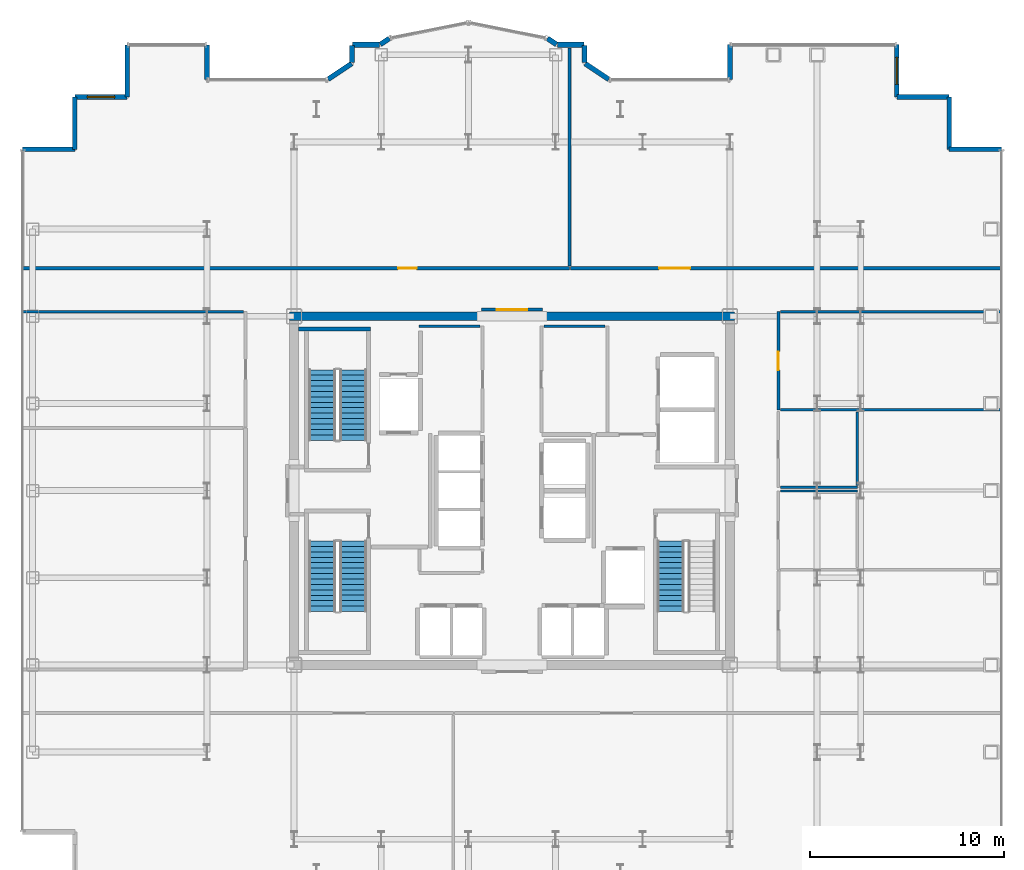
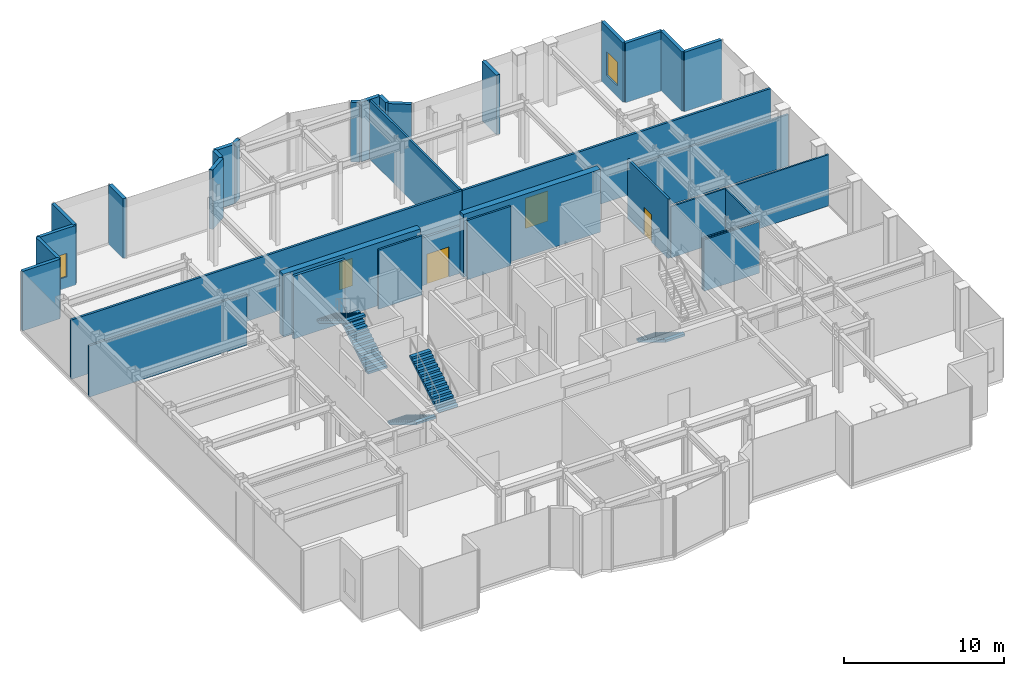
# One storey, part 17 of 20: 34 walls, 5 stair flights, 4 doors, 2 windows, 6 openings, 3 elements without a shape of their own.
"""IFC4 building model written with IfcOpenShell, lengths in metres."""

from ifc_helpers import new_model, si_unit, direction, frame, frame_2d, origin, place, context, subcontext, project, spatial, polyline, rectangle, outline, extrude, source, transform, mapped, material, layer, layer_set, type_object, element, fill, aggregate, save


model = new_model("IFC4")

# Units and contexts
model_context = context("Model", 3, precision=1e-05, world=origin(), true_north=direction((0.0, 1.0)))
body_context = subcontext(model_context, "Body", "Model", "MODEL_VIEW")
ifc_project = project(units=[si_unit("LENGTHUNIT", "METRE"), si_unit("AREAUNIT", "SQUARE_METRE"), si_unit("VOLUMEUNIT", "CUBIC_METRE"), si_unit("PLANEANGLEUNIT", "RADIAN"), si_unit("MASSUNIT", "GRAM", prefix="KILO")], contexts=[model_context])

# Site, building, storey
site_placement = place(None, origin())
site = spatial("IfcSite", under=ifc_project, at=site_placement, CompositionType="ELEMENT")
building_placement = place(site_placement, origin())
building = spatial("IfcBuilding", under=site, at=building_placement, Name="Nefas-Gora Pilgrimage Tower", CompositionType="ELEMENT")
storey_placement = place(building_placement, frame((0.0, 0.0, 259.800048828125)))
storey = spatial("IfcBuildingStorey", under=building, at=storey_placement, Name="L65", CompositionType="ELEMENT", Elevation=259.800048828125)

# Walls
ifc_material_1 = material(Name="Concrete C50/60", Category="concrete")
ifc_layer_1 = layer(ifc_material_1, 0.449951171875)
ifc_layer_set_1 = layer_set([ifc_layer_1], Name="Concrete C50/60")
wall_type_1 = type_object("IfcWallType", Name="SW-CORE-450", PredefinedType="SHEAR", material=ifc_layer_set_1)
shared_shape_1 = source(origin(), body_context, "Body", "SweptSolid", [
    extrude(rectangle(XDim=9.925048828125, YDim=0.449951171875, at=frame_2d((4.96240234375, 0.0))), origin(), (0.0, 0.0, 1.0), 4.800048828125),
])
for number, where, z_axis, x_axis, name in (
    (1, (-11.47509765625, 9.0, 0.0), (0.0, 0.0, 1.0), (1.0, 0.0, 0.0), "L65 Core Shear Wall N-West"),
    (2, (1.550048828125, 9.0, 0.0), (0.0, 0.0, 1.0), (1.0, 0.0, 0.0), "L65 Core Shear Wall N-East"),
):
    element("IfcWall", number, at=place(storey_placement, frame(where, z_axis=z_axis, x_axis=x_axis)), inside=storey, type_object=wall_type_1, Name=name, PredefinedType="SHEAR", context=body_context, shape_type="MappedRepresentation", body=[
        mapped(shared_shape_1, transform((0.0, 0.0, 0.0), x_axis=(1.0, 0.0, 0.0), y_axis=(0.0, 1.0, 0.0), z_axis=(0.0, 0.0, 1.0), scale=1.0)),
    ])
ifc_material_2 = material(Name="Precast concrete C40/50", Category="concrete")
ifc_layer_2 = layer(ifc_material_2, 0.260009765625)
ifc_layer_set_2 = layer_set([ifc_layer_2], Name="Precast concrete C40/50")
wall_type_2 = type_object("IfcWallType", Name="EW-PORTAL-260", PredefinedType="SOLIDWALL", material=ifc_layer_set_2)
shared_shape_2 = source(origin(), body_context, "Body", "SweptSolid", [
    extrude(rectangle(XDim=1.800048828125, YDim=0.260009765625, at=frame_2d((0.89990234375, 0.0))), origin(), (0.0, 0.0, 1.0), 4.550048828125),
])
for number, where, z_axis, x_axis, name in (
    (3, (11.25, 23.02001953125, 0.0), (0.0, 0.0, 1.0), (0.0, -1.0, 0.0), "L65 Lobe Shoulder Precast Spandrel Pier 10"),
    (4, (-15.75, 21.219970703125, 0.0), (0.0, 0.0, 1.0), (0.0, 1.0, 0.0), "L65 Lobe Shoulder Precast Spandrel Pier 19"),
):
    element("IfcWall", number, at=place(storey_placement, frame(where, z_axis=z_axis, x_axis=x_axis)), inside=storey, type_object=wall_type_2, Name=name, PredefinedType="SOLIDWALL", context=body_context, shape_type="MappedRepresentation", body=[
        mapped(shared_shape_2, transform((0.0, 0.0, 0.0), x_axis=(1.0, 0.0, 0.0), y_axis=(0.0, 1.0, 0.0), z_axis=(0.0, 0.0, 1.0), scale=1.0)),
    ])
ifc_material_3 = material(Name="Precast concrete C45/55", Category="concrete")
ifc_layer_3 = layer(ifc_material_3, 0.239990234375)
ifc_layer_set_3 = layer_set([ifc_layer_3], Name="Precast concrete C45/55")
wall_type_3 = type_object("IfcWallType", Name="EW-SERR-240", PredefinedType="SHEAR", material=ifc_layer_set_3)
shared_shape_3 = source(origin(), body_context, "Body", "SweptSolid", [
    extrude(rectangle(XDim=2.699951171875, YDim=0.239990234375, at=frame_2d((1.35009765625, 0.0))), origin(), (0.0, 0.0, 1.0), 4.550048828125),
])
for number, where, z_axis, x_axis, name in (
    (5, (25.27001953125, 17.6201171875, 0.0), (0.0, 0.0, 1.0), (-1.0, 0.0, 0.0), "L65 Serrated Corner Shear Pier Wall 6"),
    (6, (22.570068359375, 17.6201171875, 0.0), (0.0, 0.0, 1.0), (0.0, 1.0, 0.0), "L65 Serrated Corner Shear Pier Wall 7"),
    (7, (22.570068359375, 20.320068359375, 0.0), (0.0, 0.0, 1.0), (-1.0, 0.0, 0.0), "L65 Serrated Corner Shear Pier Wall 8"),
):
    element("IfcWall", number, at=place(storey_placement, frame(where, z_axis=z_axis, x_axis=x_axis)), inside=storey, type_object=wall_type_3, Name=name, PredefinedType="SHEAR", context=body_context, shape_type="MappedRepresentation", body=[
        mapped(shared_shape_3, transform((0.0, 0.0, 0.0), x_axis=(1.0, 0.0, 0.0), y_axis=(0.0, 1.0, 0.0), z_axis=(0.0, 0.0, 1.0), scale=1.0)),
    ])

# Wall, opening, window
wall_1_placement = place(storey_placement, frame((19.8701171875, 20.320068359375, 0.0), z_axis=(0.0, 0.0, 1.0), x_axis=(0.0, 1.0, 0.0)))
wall_1 = element("IfcWall", 8, at=wall_1_placement, inside=storey, type_object=wall_type_3, Name="L65 Serrated Corner Shear Pier Wall 9", PredefinedType="SHEAR", context=body_context, shape_type="MappedRepresentation", body=[
    mapped(shared_shape_3, transform((0.0, 0.0, 0.0), x_axis=(1.0, 0.0, 0.0), y_axis=(0.0, 1.0, 0.0), z_axis=(0.0, 0.0, 1.0), scale=1.0)),
])
opening_1_placement = place(wall_1_placement, frame((0.64990234375, 0.0, 0.85009765625)))
opening_1 = element("IfcOpeningElement", 9, at=opening_1_placement, cuts=wall_1, Name="Opening W-V2", PredefinedType="OPENING", context=body_context, shape_type="SweptSolid", body=[
    extrude(rectangle(XDim=1.39990234375, YDim=1.800048828125, at=frame_2d((0.699951171875, 0.89990234375))), frame((0.0, 0.1298828125, 0.0), z_axis=(0.0, -1.0, 0.0), x_axis=(1.0, 0.0, 0.0)), (0.0, 0.0, 1.0), 0.260009765625),
])
ifc_material_4 = material(Name="Dark ceramic-fritted operable aluminium-glass window", Category="aluminium")
window_type = type_object("IfcWindowType", Name="WIN-VENT-1400x1800", PartitioningType="SINGLE_PANEL", PredefinedType="WINDOW", material=ifc_material_4)
shared_shape_4 = source(origin(), body_context, "Body", "SweptSolid", [
    extrude(rectangle(XDim=1.39990234375, YDim=1.800048828125, at=frame_2d((0.699951171875, 0.89990234375))), frame((0.0, 0.030029296875, 0.0), z_axis=(0.0, -1.0, 0.0), x_axis=(1.0, 0.0, 0.0)), (0.0, 0.0, 1.0), 0.06005859375),
])
window_1_placement = place(opening_1_placement, origin())
window_1 = element("IfcWindow", 10, at=window_1_placement, inside=storey, type_object=window_type, Name="L65 Operable Parallel-Outswing Window 9", OverallHeight=1.800048828125, OverallWidth=1.39990234375, PartitioningType="SINGLE_PANEL", PredefinedType="WINDOW", context=body_context, shape_type="MappedRepresentation", body=[
    mapped(shared_shape_4, transform((0.0, 0.0, 0.0), x_axis=(1.0, 0.0, 0.0), y_axis=(0.0, 1.0, 0.0), z_axis=(0.0, 0.0, 1.0), scale=1.0)),
])
fill(opening_1, window_1)

# Wall
wall_2_placement = place(storey_placement, frame((-19.8701171875, 23.02001953125, 0.0), z_axis=(0.0, 0.0, 1.0), x_axis=(0.0, -1.0, 0.0)))
element("IfcWall", 11, at=wall_2_placement, inside=storey, type_object=wall_type_3, Name="L65 Serrated Corner Shear Pier Wall 20", PredefinedType="SHEAR", context=body_context, shape_type="MappedRepresentation", body=[
    mapped(shared_shape_3, transform((0.0, 0.0, 0.0), x_axis=(1.0, 0.0, 0.0), y_axis=(0.0, 1.0, 0.0), z_axis=(0.0, 0.0, 1.0), scale=1.0)),
])

# Wall, opening, window
wall_3_placement = place(storey_placement, frame((-19.8701171875, 20.320068359375, 0.0), z_axis=(0.0, 0.0, 1.0), x_axis=(-1.0, 0.0, 0.0)))
wall_3 = element("IfcWall", 12, at=wall_3_placement, inside=storey, type_object=wall_type_3, Name="L65 Serrated Corner Shear Pier Wall 21", PredefinedType="SHEAR", context=body_context, shape_type="MappedRepresentation", body=[
    mapped(shared_shape_3, transform((0.0, 0.0, 0.0), x_axis=(1.0, 0.0, 0.0), y_axis=(0.0, 1.0, 0.0), z_axis=(0.0, 0.0, 1.0), scale=1.0)),
])
opening_2_placement = place(wall_3_placement, frame((0.64990234375, 0.0, 0.85009765625)))
opening_2 = element("IfcOpeningElement", 13, at=opening_2_placement, cuts=wall_3, Name="Opening W-V2", PredefinedType="OPENING", context=body_context, shape_type="SweptSolid", body=[
    extrude(rectangle(XDim=1.39990234375, YDim=1.800048828125, at=frame_2d((0.699951171875, 0.89990234375))), frame((0.0, 0.1298828125, 0.0), z_axis=(0.0, -1.0, 0.0), x_axis=(1.0, 0.0, 0.0)), (0.0, 0.0, 1.0), 0.260009765625),
])
window_2_placement = place(opening_2_placement, origin())
window_2 = element("IfcWindow", 14, at=window_2_placement, inside=storey, type_object=window_type, Name="L65 Operable Parallel-Outswing Window 21", OverallHeight=1.800048828125, OverallWidth=1.39990234375, PartitioningType="SINGLE_PANEL", PredefinedType="WINDOW", context=body_context, shape_type="MappedRepresentation", body=[
    mapped(shared_shape_4, transform((0.0, 0.0, 0.0), x_axis=(1.0, 0.0, 0.0), y_axis=(0.0, 1.0, 0.0), z_axis=(0.0, 0.0, 1.0), scale=1.0)),
])
fill(opening_2, window_2)

# Walls
for number, where, z_axis, x_axis, name in (
    (15, (-22.570068359375, 20.320068359375, 0.0), (0.0, 0.0, 1.0), (0.0, -1.0, 0.0), "L65 Serrated Corner Shear Pier Wall 22"),
    (16, (-22.570068359375, 17.6201171875, 0.0), (0.0, 0.0, 1.0), (-1.0, 0.0, 0.0), "L65 Serrated Corner Shear Pier Wall 23"),
):
    element("IfcWall", number, at=place(storey_placement, frame(where, z_axis=z_axis, x_axis=x_axis)), inside=storey, type_object=wall_type_3, Name=name, PredefinedType="SHEAR", context=body_context, shape_type="MappedRepresentation", body=[
        mapped(shared_shape_3, transform((0.0, 0.0, 0.0), x_axis=(1.0, 0.0, 0.0), y_axis=(0.0, 1.0, 0.0), z_axis=(0.0, 0.0, 1.0), scale=1.0)),
    ])
shared_shape_5 = source(origin(), body_context, "Body", "SweptSolid", [
    extrude(rectangle(XDim=1.468994140625, YDim=0.260009765625, at=frame_2d((0.734375, 0.0))), origin(), (0.0, 0.0, 1.0), 4.550048828125),
])
for number, where, z_axis, x_axis, name in (
    (17, (4.99462890625, 21.235595703125, 0.0), (0.0, 0.0, 1.0), (-0.831461760506, 0.555581983884, 0.0), "L65 Lobe Shoulder Precast Spandrel Pier 11"),
    (18, (-8.273193359375, 22.0517578125, 0.0), (0.0, 0.0, 1.0), (-0.831461760506, -0.555581983884, 0.0), "L65 Lobe Shoulder Precast Spandrel Pier 18"),
):
    element("IfcWall", number, at=place(storey_placement, frame(where, z_axis=z_axis, x_axis=x_axis)), inside=storey, type_object=wall_type_2, Name=name, PredefinedType="SOLIDWALL", context=body_context, shape_type="MappedRepresentation", body=[
        mapped(shared_shape_5, transform((0.0, 0.0, 0.0), x_axis=(1.0, 0.0, 0.0), y_axis=(0.0, 1.0, 0.0), z_axis=(0.0, 0.0, 1.0), scale=1.0)),
    ])
shared_shape_6 = source(origin(), body_context, "Body", "SweptSolid", [
    extrude(rectangle(XDim=0.896728515625, YDim=0.260009765625, at=frame_2d((0.4482421875, 0.0))), origin(), (0.0, 0.0, 1.0), 4.550048828125),
])
for number, where, z_axis, x_axis, name in (
    (19, (3.75, 22.09521484375, 0.0), (0.0, 0.0, 1.0), (0.0, 1.0, 0.0), "L65 Lobe Shoulder Precast Spandrel Pier 12"),
    (20, (-8.25, 22.991943359375, 0.0), (0.0, 0.0, 1.0), (0.0, -1.0, 0.0), "L65 Lobe Shoulder Precast Spandrel Pier 17"),
):
    element("IfcWall", number, at=place(storey_placement, frame(where, z_axis=z_axis, x_axis=x_axis)), inside=storey, type_object=wall_type_2, Name=name, PredefinedType="SOLIDWALL", context=body_context, shape_type="MappedRepresentation", body=[
        mapped(shared_shape_6, transform((0.0, 0.0, 0.0), x_axis=(1.0, 0.0, 0.0), y_axis=(0.0, 1.0, 0.0), z_axis=(0.0, 0.0, 1.0), scale=1.0)),
    ])
shared_shape_7 = source(origin(), body_context, "Body", "SweptSolid", [
    extrude(rectangle(XDim=1.369873046875, YDim=0.260009765625, at=frame_2d((0.68505859375, 0.0))), origin(), (0.0, 0.0, 1.0), 4.550048828125),
])
for number, where, z_axis, x_axis, name in (
    (21, (3.721923828125, 23.02001953125, 0.0), (0.0, 0.0, 1.0), (-1.0, 0.0, 0.0), "L65 Lobe Shoulder Precast Spandrel Pier 13"),
    (22, (-6.85205078125, 23.02001953125, 0.0), (0.0, 0.0, 1.0), (-1.0, 0.0, 0.0), "L65 Lobe Shoulder Precast Spandrel Pier 16"),
):
    element("IfcWall", number, at=place(storey_placement, frame(where, z_axis=z_axis, x_axis=x_axis)), inside=storey, type_object=wall_type_2, Name=name, PredefinedType="SOLIDWALL", context=body_context, shape_type="MappedRepresentation", body=[
        mapped(shared_shape_7, transform((0.0, 0.0, 0.0), x_axis=(1.0, 0.0, 0.0), y_axis=(0.0, 1.0, 0.0), z_axis=(0.0, 0.0, 1.0), scale=1.0)),
    ])
shared_shape_8 = source(origin(), body_context, "Body", "SweptSolid", [
    extrude(rectangle(XDim=0.5654296875, YDim=0.260009765625, at=frame_2d((0.28271484375, 0.0))), origin(), (0.0, 0.0, 1.0), 4.550048828125),
])
for number, where, z_axis, x_axis, name in (
    (23, (2.30078125, 23.03564453125, 0.0), (0.0, 0.0, 1.0), (-0.831651492666, 0.555297933317, 0.0), "L65 Lobe Shoulder Precast Spandrel Pier 14"),
    (24, (-6.33056640625, 23.349609375, 0.0), (0.0, 0.0, 1.0), (-0.831651492666, -0.555297933317, 0.0), "L65 Lobe Shoulder Precast Spandrel Pier 15"),
):
    element("IfcWall", number, at=place(storey_placement, frame(where, z_axis=z_axis, x_axis=x_axis)), inside=storey, type_object=wall_type_2, Name=name, PredefinedType="SOLIDWALL", context=body_context, shape_type="MappedRepresentation", body=[
        mapped(shared_shape_8, transform((0.0, 0.0, 0.0), x_axis=(1.0, 0.0, 0.0), y_axis=(0.0, 1.0, 0.0), z_axis=(0.0, 0.0, 1.0), scale=1.0)),
    ])
ifc_material_5 = material(Name="Concrete C45/55", Category="concrete")
ifc_layer_4 = layer(ifc_material_5, 0.199951171875)
ifc_layer_set_4 = layer_set([ifc_layer_4], Name="Concrete C45/55")
wall_type_4 = type_object("IfcWallType", Name="IW-STAIR-200", PredefinedType="SOLIDWALL", material=ifc_layer_set_4)
shared_shape_9 = source(origin(), body_context, "Body", "SweptSolid", [
    extrude(rectangle(XDim=3.72998046875, YDim=0.199951171875, at=frame_2d((1.864990234375, 0.0))), origin(), (0.0, 0.0, 1.0), 4.800048828125),
])
wall_4_placement = place(storey_placement, frame((-7.300048828125, 8.35009765625, 0.0), z_axis=(0.0, 0.0, 1.0), x_axis=(-1.0, 0.0, 0.0)))
element("IfcWall", 25, at=wall_4_placement, inside=storey, type_object=wall_type_4, Name="L65 Stairwell Shear Wall ST-01-far", PredefinedType="SOLIDWALL", context=body_context, shape_type="MappedRepresentation", body=[
    mapped(shared_shape_9, transform((0.0, 0.0, 0.0), x_axis=(1.0, 0.0, 0.0), y_axis=(0.0, 1.0, 0.0), z_axis=(0.0, 0.0, 1.0), scale=1.0)),
])
ifc_material_6 = material(Name="Gypsum twin-stud partition")
ifc_layer_5 = layer(ifc_material_6, 0.139892578125)
ifc_layer_set_5 = layer_set([ifc_layer_5], Name="Gypsum twin-stud partition")
wall_type_5 = type_object("IfcWallType", Name="IW-UNIT-140", PredefinedType="PARTITIONING", material=ifc_layer_set_5)
shared_shape_10 = source(origin(), body_context, "Body", "SweptSolid", [
    extrude(rectangle(XDim=3.150146484375, YDim=0.139892578125, at=frame_2d((1.5751953125, 0.0))), origin(), (0.0, 0.0, 1.0), 4.534912109375),
])
for number, where, z_axis, x_axis, name in (
    (26, (-4.7900390625, 8.47998046875, 0.0), (0.0, 0.0, 1.0), (1.0, 0.0, 0.0), "L65 Housekeeping and Linen Store Partition Wall 19"),
    (27, (1.639892578125, 8.47998046875, 0.0), (0.0, 0.0, 1.0), (1.0, 0.0, 0.0), "L65 Freed Bank-1 Amenity Supply Store Partition Wall 24"),
):
    element("IfcWall", number, at=place(storey_placement, frame(where, z_axis=z_axis, x_axis=x_axis)), inside=storey, type_object=wall_type_5, Name=name, PredefinedType="PARTITIONING", context=body_context, shape_type="MappedRepresentation", body=[
        mapped(shared_shape_10, transform((0.0, 0.0, 0.0), x_axis=(1.0, 0.0, 0.0), y_axis=(0.0, 1.0, 0.0), z_axis=(0.0, 0.0, 1.0), scale=1.0)),
    ])
shared_shape_11 = source(origin(), body_context, "Body", "SweptSolid", [
    extrude(rectangle(XDim=11.25, YDim=0.139892578125, at=frame_2d((5.625, 0.0))), origin(), (0.0, 0.0, 1.0), 4.534912109375),
])
wall_5_placement = place(storey_placement, frame((2.969970703125, 11.60009765625, 0.0), z_axis=(0.0, 0.0, 1.0), x_axis=(0.0, 1.0, 0.0)))
element("IfcWall", 28, at=wall_5_placement, inside=storey, type_object=wall_type_5, Name="L65 North Panorama Sky Lobby Partition Wall 26", PredefinedType="PARTITIONING", context=body_context, shape_type="MappedRepresentation", body=[
    mapped(shared_shape_11, transform((0.0, 0.0, 0.0), x_axis=(1.0, 0.0, 0.0), y_axis=(0.0, 1.0, 0.0), z_axis=(0.0, 0.0, 1.0), scale=1.0)),
])

# Wall, opening, door
ifc_material_7 = material(Name="Gypsum acoustic stud partition")
ifc_layer_6 = layer(ifc_material_7, 0.159912109375)
ifc_layer_set_6 = layer_set([ifc_layer_6], Name="Gypsum acoustic stud partition")
wall_type_6 = type_object("IfcWallType", Name="IW-CORR-160", PredefinedType="PARTITIONING", material=ifc_layer_set_6)
shared_shape_12 = source(origin(), body_context, "Body", "SweptSolid", [
    extrude(rectangle(XDim=5.080078125, YDim=0.159912109375, at=frame_2d((2.5400390625, 0.0))), origin(), (0.0, 0.0, 1.0), 4.534912109375),
])
wall_6_placement = place(storey_placement, frame((13.75, 4.159912109375, 0.0), z_axis=(0.0, 0.0, 1.0), x_axis=(0.0, 1.0, 0.0)))
wall_6 = element("IfcWall", 29, at=wall_6_placement, inside=storey, type_object=wall_type_6, Name="L65 Sky Lobby Pantry and Servery Partition Wall 36", PredefinedType="PARTITIONING", context=body_context, shape_type="MappedRepresentation", body=[
    mapped(shared_shape_12, transform((0.0, 0.0, 0.0), x_axis=(1.0, 0.0, 0.0), y_axis=(0.0, 1.0, 0.0), z_axis=(0.0, 0.0, 1.0), scale=1.0)),
])
opening_3_placement = place(wall_6_placement, frame((2.06494140625, 0.0, 0.0)))
opening_3 = element("IfcOpeningElement", 30, at=opening_3_placement, cuts=wall_6, Name="Opening ID-GR1", PredefinedType="OPENING", context=body_context, shape_type="SweptSolid", body=[
    extrude(rectangle(XDim=0.949951171875, YDim=2.10009765625, at=frame_2d((0.47509765625, 1.050048828125))), frame((0.0, 0.08984375, 0.0), z_axis=(0.0, -1.0, 0.0), x_axis=(1.0, 0.0, 0.0)), (0.0, 0.0, 1.0), 0.179931640625),
])
ifc_material_8 = material(Name="Solid core oak fire-rated guest entrance door")
door_type_1 = type_object("IfcDoorType", Name="DR-INT-GUEST-950", OperationType="NOTDEFINED", PredefinedType="DOOR", material=ifc_material_8)
shared_shape_13 = source(origin(), body_context, "Body", "SweptSolid", [
    extrude(rectangle(XDim=0.949951171875, YDim=2.10009765625, at=frame_2d((0.47509765625, 1.050048828125))), frame((0.0, 0.02490234375, 0.0), z_axis=(0.0, -1.0, 0.0), x_axis=(1.0, 0.0, 0.0)), (0.0, 0.0, 1.0), 0.050048828125),
])
door_1_placement = place(opening_3_placement, origin())
door_1 = element("IfcDoor", 31, at=door_1_placement, inside=storey, type_object=door_type_1, Name="L65 Sky Lobby Pantry and Servery Door 16", OperationType="SINGLE_SWING_LEFT", OverallHeight=2.10009765625, OverallWidth=0.949951171875, PredefinedType="DOOR", context=body_context, shape_type="MappedRepresentation", body=[
    mapped(shared_shape_13, transform((0.0, 0.0, 0.0), x_axis=(1.0, 0.0, 0.0), y_axis=(0.0, 1.0, 0.0), z_axis=(0.0, 0.0, 1.0), scale=1.0)),
])
fill(opening_3, door_1)

shared_shape_14 = source(origin(), body_context, "Body", "SweptSolid", [
    extrude(rectangle(XDim=3.16015625, YDim=0.159912109375, at=frame_2d((1.580078125, 0.0))), origin(), (0.0, 0.0, 1.0), 3.625),
])
wall_7_placement = place(storey_placement, frame((-1.580078125, 9.35009765625, 0.0), z_axis=(0.0, 0.0, 1.0), x_axis=(1.0, 0.0, 0.0)))
wall_7 = element("IfcWall", 32, at=wall_7_placement, inside=storey, type_object=wall_type_6, Name="L65 Central Lift Lobby North Portal Wall 15", PredefinedType="PARTITIONING", context=body_context, shape_type="MappedRepresentation", body=[
    mapped(shared_shape_14, transform((0.0, 0.0, 0.0), x_axis=(1.0, 0.0, 0.0), y_axis=(0.0, 1.0, 0.0), z_axis=(0.0, 0.0, 1.0), scale=1.0)),
])
opening_4_placement = place(wall_7_placement, frame((0.780029296875, 0.0, 0.0)))
opening_4 = element("IfcOpeningElement", 33, at=opening_4_placement, cuts=wall_7, Name="Opening ID-HL1", PredefinedType="OPENING", context=body_context, shape_type="SweptSolid", body=[
    extrude(rectangle(XDim=1.60009765625, YDim=2.300048828125, at=frame_2d((0.800048828125, 1.14990234375))), frame((0.0, 0.08984375, 0.0), z_axis=(0.0, -1.0, 0.0), x_axis=(1.0, 0.0, 0.0)), (0.0, 0.0, 1.0), 0.179931640625),
])
ifc_material_9 = material(Name="Double acoustic timber assembly hall door", Category="wood")
door_type_2 = type_object("IfcDoorType", Name="DR-INT-HALL-1600", OperationType="DOUBLE_DOOR_SINGLE_SWING", PredefinedType="DOOR", material=ifc_material_9)
shared_shape_15 = source(origin(), body_context, "Body", "SweptSolid", [
    extrude(rectangle(XDim=1.60009765625, YDim=2.300048828125, at=frame_2d((0.800048828125, 1.14990234375))), frame((0.0, 0.02490234375, 0.0), z_axis=(0.0, -1.0, 0.0), x_axis=(1.0, 0.0, 0.0)), (0.0, 0.0, 1.0), 0.050048828125),
])
door_2_placement = place(opening_4_placement, origin())
door_2 = element("IfcDoor", 34, at=door_2_placement, inside=storey, type_object=door_type_2, Name="L65 Central Lift Lobby North Portal Door 5", OperationType="DOUBLE_DOOR_SINGLE_SWING", OverallHeight=2.300048828125, OverallWidth=1.60009765625, PredefinedType="DOOR", context=body_context, shape_type="MappedRepresentation", body=[
    mapped(shared_shape_15, transform((0.0, 0.0, 0.0), x_axis=(1.0, 0.0, 0.0), y_axis=(0.0, 1.0, 0.0), z_axis=(0.0, 0.0, 1.0), scale=1.0)),
])
fill(opening_4, door_2)

shared_shape_16 = source(origin(), body_context, "Body", "SweptSolid", [
    extrude(rectangle(XDim=28.27001953125, YDim=0.159912109375, at=frame_2d((14.135009765625, 0.0))), origin(), (0.0, 0.0, 1.0), 4.534912109375),
])
wall_8_placement = place(storey_placement, frame((-25.2900390625, 11.47998046875, 0.0), z_axis=(0.0, 0.0, 1.0), x_axis=(1.0, 0.0, 0.0)))
wall_8 = element("IfcWall", 35, at=wall_8_placement, inside=storey, type_object=wall_type_6, Name="L65 North Panorama Sky Lobby Partition Wall 25", PredefinedType="PARTITIONING", context=body_context, shape_type="MappedRepresentation", body=[
    mapped(shared_shape_16, transform((0.0, 0.0, 0.0), x_axis=(1.0, 0.0, 0.0), y_axis=(0.0, 1.0, 0.0), z_axis=(0.0, 0.0, 1.0), scale=1.0)),
])
opening_5_placement = place(wall_8_placement, frame((19.4150390625, 0.0, 0.0)))
opening_5 = element("IfcOpeningElement", 36, at=opening_5_placement, cuts=wall_8, Name="Opening ID-GR1", PredefinedType="OPENING", context=body_context, shape_type="SweptSolid", body=[
    extrude(rectangle(XDim=0.949951171875, YDim=2.10009765625, at=frame_2d((0.47509765625, 1.050048828125))), frame((0.0, 0.08984375, 0.0), z_axis=(0.0, -1.0, 0.0), x_axis=(1.0, 0.0, 0.0)), (0.0, 0.0, 1.0), 0.179931640625),
])
door_3_placement = place(opening_5_placement, origin())
door_3 = element("IfcDoor", 37, at=door_3_placement, inside=storey, type_object=door_type_1, Name="L65 North Panorama Sky Lobby Door 10", OperationType="SINGLE_SWING_RIGHT", OverallHeight=2.10009765625, OverallWidth=0.949951171875, PredefinedType="DOOR", context=body_context, shape_type="MappedRepresentation", body=[
    mapped(shared_shape_13, transform((0.0, 0.0, 0.0), x_axis=(1.0, 0.0, 0.0), y_axis=(0.0, 1.0, 0.0), z_axis=(0.0, 0.0, 1.0), scale=1.0)),
])
fill(opening_5, door_3)

shared_shape_17 = source(origin(), body_context, "Body", "SweptSolid", [
    extrude(rectangle(XDim=22.27001953125, YDim=0.159912109375, at=frame_2d((11.135009765625, 0.0))), origin(), (0.0, 0.0, 1.0), 4.534912109375),
])
wall_9_placement = place(storey_placement, frame((3.02001953125, 11.47998046875, 0.0), z_axis=(0.0, 0.0, 1.0), x_axis=(1.0, 0.0, 0.0)))
wall_9 = element("IfcWall", 38, at=wall_9_placement, inside=storey, type_object=wall_type_6, Name="L65 Sky Transfer Concierge Hall Partition Wall 27", PredefinedType="PARTITIONING", context=body_context, shape_type="MappedRepresentation", body=[
    mapped(shared_shape_17, transform((0.0, 0.0, 0.0), x_axis=(1.0, 0.0, 0.0), y_axis=(0.0, 1.0, 0.0), z_axis=(0.0, 0.0, 1.0), scale=1.0)),
])
opening_6_placement = place(wall_9_placement, frame((4.580078125, 0.0, 0.0)))
opening_6 = element("IfcOpeningElement", 39, at=opening_6_placement, cuts=wall_9, Name="Opening ID-HL1", PredefinedType="OPENING", context=body_context, shape_type="SweptSolid", body=[
    extrude(rectangle(XDim=1.60009765625, YDim=2.300048828125, at=frame_2d((0.800048828125, 1.14990234375))), frame((0.0, 0.08984375, 0.0), z_axis=(0.0, -1.0, 0.0), x_axis=(1.0, 0.0, 0.0)), (0.0, 0.0, 1.0), 0.179931640625),
])
door_4_placement = place(opening_6_placement, origin())
door_4 = element("IfcDoor", 40, at=door_4_placement, inside=storey, type_object=door_type_2, Name="L65 Sky Transfer Concierge Hall Door 11", OperationType="DOUBLE_DOOR_SINGLE_SWING", OverallHeight=2.300048828125, OverallWidth=1.60009765625, PredefinedType="DOOR", context=body_context, shape_type="MappedRepresentation", body=[
    mapped(shared_shape_15, transform((0.0, 0.0, 0.0), x_axis=(1.0, 0.0, 0.0), y_axis=(0.0, 1.0, 0.0), z_axis=(0.0, 0.0, 1.0), scale=1.0)),
])
fill(opening_6, door_4)

# Walls
shared_shape_18 = source(origin(), body_context, "Body", "SweptSolid", [
    extrude(rectangle(XDim=11.419921875, YDim=0.139892578125, at=frame_2d((5.7099609375, 0.0))), origin(), (0.0, 0.0, 1.0), 3.925048828125),
])
for number, where, z_axis, x_axis, name in (
    (41, (-25.2900390625, 9.22998046875, 0.0), (0.0, 0.0, 1.0), (1.0, 0.0, 0.0), "L65 Pilgrim Reading Library Partition Wall 35"),
    (42, (13.8701171875, 9.22998046875, 0.0), (0.0, 0.0, 1.0), (1.0, 0.0, 0.0), "L65 Sky Lobby Pantry and Servery Partition Wall 37"),
):
    element("IfcWall", number, at=place(storey_placement, frame(where, z_axis=z_axis, x_axis=x_axis)), inside=storey, type_object=wall_type_5, Name=name, PredefinedType="PARTITIONING", context=body_context, shape_type="MappedRepresentation", body=[
        mapped(shared_shape_18, transform((0.0, 0.0, 0.0), x_axis=(1.0, 0.0, 0.0), y_axis=(0.0, 1.0, 0.0), z_axis=(0.0, 0.0, 1.0), scale=1.0)),
    ])
ifc_material_10 = material(Name="Moisture-resistant fire-rated gypsum partition")
ifc_layer_7 = layer(ifc_material_10, 0.1201171875)
ifc_layer_set_7 = layer_set([ifc_layer_7], Name="Moisture-resistant fire-rated gypsum partition")
wall_type_7 = type_object("IfcWallType", Name="IW-WET-120", PredefinedType="PLUMBINGWALL", material=ifc_layer_set_7)
shared_shape_19 = source(origin(), body_context, "Body", "SweptSolid", [
    extrude(rectangle(XDim=11.419921875, YDim=0.1201171875, at=frame_2d((5.7099609375, 0.0))), origin(), (0.0, 0.0, 1.0), 3.925048828125),
])
wall_10_placement = place(storey_placement, frame((13.8701171875, 4.169921875, 0.0), z_axis=(0.0, 0.0, 1.0), x_axis=(1.0, 0.0, 0.0)))
element("IfcWall", 43, at=wall_10_placement, inside=storey, type_object=wall_type_7, Name="L65 Sky Lobby Pantry and Servery Partition Wall 38", PredefinedType="PLUMBINGWALL", context=body_context, shape_type="MappedRepresentation", body=[
    mapped(shared_shape_19, transform((0.0, 0.0, 0.0), x_axis=(1.0, 0.0, 0.0), y_axis=(0.0, 1.0, 0.0), z_axis=(0.0, 0.0, 1.0), scale=1.0)),
])
shared_shape_20 = source(origin(), body_context, "Body", "SweptSolid", [
    extrude(rectangle(XDim=3.989990234375, YDim=0.1201171875, at=frame_2d((1.9951171875, 0.0))), origin(), (0.0, 0.0, 1.0), 3.925048828125),
])
for number, where, z_axis, x_axis, name in (
    (44, (13.85009765625, 0.169921875, 0.0), (0.0, 0.0, 1.0), (1.0, 0.0, 0.0), "L65 Sky Lobby Accessible WC Partition Wall 40"),
    (45, (13.85009765625, -0.02001953125, 0.0), (0.0, 0.0, 1.0), (1.0, 0.0, 0.0), "L65 Sky Lobby Public Restroom WC Partition Wall 44"),
):
    element("IfcWall", number, at=place(storey_placement, frame(where, z_axis=z_axis, x_axis=x_axis)), inside=storey, type_object=wall_type_7, Name=name, PredefinedType="PLUMBINGWALL", context=body_context, shape_type="MappedRepresentation", body=[
        mapped(shared_shape_20, transform((0.0, 0.0, 0.0), x_axis=(1.0, 0.0, 0.0), y_axis=(0.0, 1.0, 0.0), z_axis=(0.0, 0.0, 1.0), scale=1.0)),
    ])
shared_shape_21 = source(origin(), body_context, "Body", "SweptSolid", [
    extrude(rectangle(XDim=3.800048828125, YDim=0.1201171875, at=frame_2d((1.89990234375, 0.0))), origin(), (0.0, 0.0, 1.0), 3.925048828125),
])
wall_11_placement = place(storey_placement, frame((17.830078125, 0.27001953125, 0.0), z_axis=(0.0, 0.0, 1.0), x_axis=(0.0, 1.0, 0.0)))
element("IfcWall", 46, at=wall_11_placement, inside=storey, type_object=wall_type_7, Name="L65 Sky Lobby Accessible WC Partition Wall 41", PredefinedType="PLUMBINGWALL", context=body_context, shape_type="MappedRepresentation", body=[
    mapped(shared_shape_21, transform((0.0, 0.0, 0.0), x_axis=(1.0, 0.0, 0.0), y_axis=(0.0, 1.0, 0.0), z_axis=(0.0, 0.0, 1.0), scale=1.0)),
])

# Stair, stair flights
stair_type = type_object("IfcStairType", Name="STR-1400-R1714", PredefinedType="HALF_TURN_STAIR", material=ifc_material_5)
stair_1_placement = place(storey_placement, origin())
stair_1 = element("IfcStair", 47, at=stair_1_placement, inside=storey, type_object=stair_type, Name="L65 Pressurised Tower Exit Stair ST-01", PredefinedType="HALF_TURN_STAIR")
stair_flight_type = type_object("IfcStairFlightType", Name="STF-1400-R1714", PredefinedType="STRAIGHT", material=ifc_material_5)
shared_shape_22 = source(origin(), body_context, "Body", "SweptSolid", [
    extrude(outline(polyline([(0.0, 0.0), (0.0, 0.17138671875), (0.280029296875, 0.17138671875), (0.280029296875, 0.3427734375), (0.56005859375, 0.3427734375), (0.56005859375, 0.514404296875), (0.840087890625, 0.514404296875), (0.840087890625, 0.685791015625), (1.1201171875, 0.685791015625), (1.1201171875, 0.857177734375), (1.39990234375, 0.857177734375), (1.39990234375, 1.028564453125), (1.679931640625, 1.028564453125), (1.679931640625, 1.199951171875), (1.9599609375, 1.199951171875), (1.9599609375, 1.371337890625), (2.239990234375, 1.371337890625), (2.239990234375, 1.54296875), (2.52001953125, 1.54296875), (2.52001953125, 1.71435546875), (2.800048828125, 1.71435546875), (2.800048828125, 1.8857421875), (3.080078125, 1.8857421875), (3.080078125, 2.05712890625), (3.360107421875, 2.05712890625), (3.360107421875, 2.228515625), (3.639892578125, 2.228515625), (3.639892578125, 2.39990234375), (3.639892578125, 2.052734375), (0.287109375, 0.0), (0.0, 0.0)])), frame((0.0, 0.699951171875, 0.0), z_axis=(0.0, -1.0, 0.0), x_axis=(1.0, 0.0, 0.0)), (0.0, 0.0, 1.0), 1.39990234375),
])
stair_flight_1_placement = place(storey_placement, frame((-8.199951171875, 2.60009765625, 0.0), z_axis=(0.0, 0.0, 1.0), x_axis=(0.0, 1.0, 0.0)))
stair_flight_1 = element("IfcStairFlight", 48, at=stair_flight_1_placement, type_object=stair_flight_type, Name="ST-01 flight 1", NumberOfRisers=14, NumberOfTreads=13, PredefinedType="STRAIGHT", RiserHeight=0.171428571, TreadLength=0.28, context=body_context, shape_type="MappedRepresentation", body=[
    mapped(shared_shape_22, transform((0.0, 0.0, 0.0), x_axis=(1.0, 0.0, 0.0), y_axis=(0.0, 1.0, 0.0), z_axis=(0.0, 0.0, 1.0), scale=1.0)),
])
stair_flight_2_placement = place(storey_placement, frame((-9.800048828125, 6.239990234375, 2.39990234375), z_axis=(0.0, 0.0, 1.0), x_axis=(0.0, -1.0, 0.0)))
stair_flight_2 = element("IfcStairFlight", 49, at=stair_flight_2_placement, type_object=stair_flight_type, Name="ST-01 flight 2", NumberOfRisers=14, NumberOfTreads=13, PredefinedType="STRAIGHT", RiserHeight=0.171428571, TreadLength=0.28, context=body_context, shape_type="MappedRepresentation", body=[
    mapped(shared_shape_22, transform((0.0, 0.0, 0.0), x_axis=(1.0, 0.0, 0.0), y_axis=(0.0, 1.0, 0.0), z_axis=(0.0, 0.0, 1.0), scale=1.0)),
])
aggregate(stair_1, [stair_flight_1, stair_flight_2])

# Stair, stair flight
stair_2_placement = place(storey_placement, origin())
stair_2 = element("IfcStair", 50, at=stair_2_placement, inside=storey, type_object=stair_type, Name="L65 Pressurised Tower Exit Stair ST-02", PredefinedType="HALF_TURN_STAIR")
stair_flight_3_placement = place(storey_placement, frame((8.199951171875, -2.60009765625, 0.0), z_axis=(0.0, 0.0, 1.0), x_axis=(0.0, -1.0, 0.0)))
stair_flight_3 = element("IfcStairFlight", 51, at=stair_flight_3_placement, type_object=stair_flight_type, Name="ST-02 flight 1", NumberOfRisers=14, NumberOfTreads=13, PredefinedType="STRAIGHT", RiserHeight=0.171428571, TreadLength=0.28, context=body_context, shape_type="MappedRepresentation", body=[
    mapped(shared_shape_22, transform((0.0, 0.0, 0.0), x_axis=(1.0, 0.0, 0.0), y_axis=(0.0, 1.0, 0.0), z_axis=(0.0, 0.0, 1.0), scale=1.0)),
])
aggregate(stair_2, [stair_flight_3])

# Stair, stair flights
stair_3_placement = place(storey_placement, origin())
stair_3 = element("IfcStair", 52, at=stair_3_placement, inside=storey, type_object=stair_type, Name="L65 Pressurised Tower Exit Stair ST-03", PredefinedType="HALF_TURN_STAIR")
stair_flight_4_placement = place(storey_placement, frame((-9.800048828125, -2.60009765625, 0.0), z_axis=(0.0, 0.0, 1.0), x_axis=(0.0, -1.0, 0.0)))
stair_flight_4 = element("IfcStairFlight", 53, at=stair_flight_4_placement, type_object=stair_flight_type, Name="ST-03 flight 1", NumberOfRisers=14, NumberOfTreads=13, PredefinedType="STRAIGHT", RiserHeight=0.171428571, TreadLength=0.28, context=body_context, shape_type="MappedRepresentation", body=[
    mapped(shared_shape_22, transform((0.0, 0.0, 0.0), x_axis=(1.0, 0.0, 0.0), y_axis=(0.0, 1.0, 0.0), z_axis=(0.0, 0.0, 1.0), scale=1.0)),
])
stair_flight_5_placement = place(storey_placement, frame((-8.199951171875, -6.239990234375, 2.39990234375), z_axis=(0.0, 0.0, 1.0), x_axis=(0.0, 1.0, 0.0)))
stair_flight_5 = element("IfcStairFlight", 54, at=stair_flight_5_placement, type_object=stair_flight_type, Name="ST-03 flight 2", NumberOfRisers=14, NumberOfTreads=13, PredefinedType="STRAIGHT", RiserHeight=0.171428571, TreadLength=0.28, context=body_context, shape_type="MappedRepresentation", body=[
    mapped(shared_shape_22, transform((0.0, 0.0, 0.0), x_axis=(1.0, 0.0, 0.0), y_axis=(0.0, 1.0, 0.0), z_axis=(0.0, 0.0, 1.0), scale=1.0)),
])
aggregate(stair_3, [stair_flight_4, stair_flight_5])

save(model, "model.ifc")
